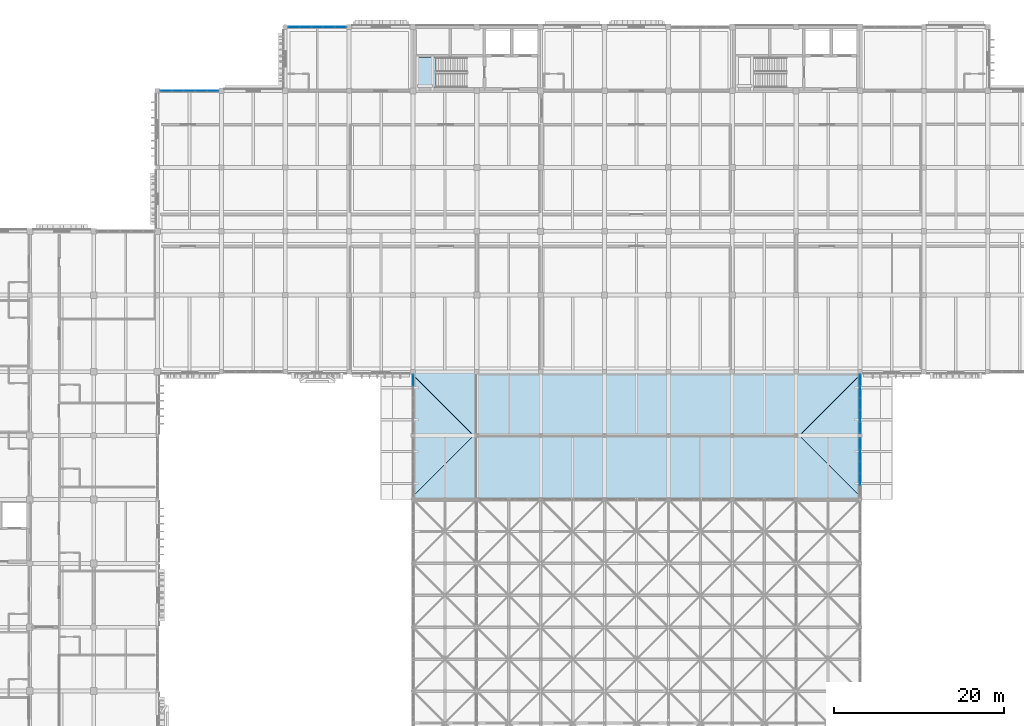
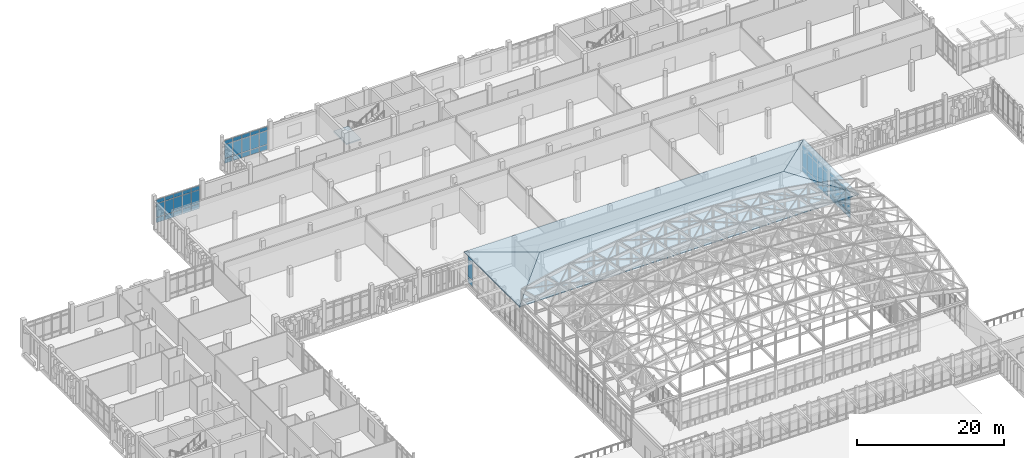
# One storey, part 88 of 131: 60 plates, 5 slabs, 7 elements without a shape of their own.
"""IFC4 building model written with IfcOpenShell, lengths in metres."""

from ifc_helpers import new_model, si_unit, direction, frame, origin, origin_2d, place, context, subcontext, project, spatial, polyline, rectangle, outline, extrude, material, layer, layer_set, type_object, element, aggregate, save


model = new_model("IFC4")

# Units and contexts
model_context = context("Model", 3, precision=1e-05, world=origin(), true_north=direction((0.0, 1.0)))
body_context = subcontext(model_context, "Body", "Model", "MODEL_VIEW")
ifc_project = project(units=[si_unit("LENGTHUNIT", "METRE"), si_unit("AREAUNIT", "SQUARE_METRE"), si_unit("VOLUMEUNIT", "CUBIC_METRE"), si_unit("PLANEANGLEUNIT", "RADIAN"), si_unit("MASSUNIT", "GRAM", prefix="KILO")], contexts=[model_context])

# Site, building, storey
site_placement = place(None, origin())
site = spatial("IfcSite", under=ifc_project, at=site_placement, CompositionType="ELEMENT")
building_placement = place(site_placement, origin())
building = spatial("IfcBuilding", under=site, at=building_placement, Name="Dalvernix Boulevard General Hospital", CompositionType="ELEMENT")
storey_placement = place(building_placement, frame((0.0, 0.0, 9.300048828125)))
storey = spatial("IfcBuildingStorey", under=building, at=storey_placement, Name="L02", CompositionType="ELEMENT", Elevation=9.300048828125)

# Curtain wall, plates
ifc_material_1 = material(Name="Thermally broken aluminium and solar-control glass curtain wall", Category="aluminium")
ifc_layer_1 = layer(ifc_material_1, 0.179931640625)
ifc_layer_set_1 = layer_set([ifc_layer_1], Name="Thermally broken aluminium and solar-control glass curtain wall (CW-CW-B-70x46)")
curtain_wall_type_1 = type_object("IfcCurtainWallType", Name="CW-CW-B-70x46", PredefinedType="USERDEFINED", material=ifc_layer_set_1)
curtain_wall_1_placement = place(storey_placement, origin())
curtain_wall_1 = element("IfcCurtainWall", 1, at=curtain_wall_1_placement, inside=storey, type_object=curtain_wall_type_1, Name="L02 curtain wall CW-B-70x46 8-9", ObjectType="GLAZED FACADE", PredefinedType="USERDEFINED")
ifc_material_2 = material(Name="Double-glazed solar-control low-emissivity glass", Category="glass")
ifc_layer_2 = layer(ifc_material_2, 0.028076171875)
ifc_layer_set_2 = layer_set([ifc_layer_2], Name="Double-glazed solar-control low-emissivity glass (PLT-CW-P2)")
plate_type_1 = type_object("IfcPlateType", Name="PLT-CW-P2", PredefinedType="CURTAIN_PANEL", material=ifc_layer_set_2)
plate_1_placement = place(storey_placement, frame((60.0, 75.500732421875, 0.06494140625), z_axis=(0.0, 0.0, 1.0), x_axis=(0.0, 1.0, 0.0)))
plate_1 = element("IfcPlate", 2, at=plate_1_placement, type_object=plate_type_1, Name="CW-B-70x46 panel 5.1", PredefinedType="CURTAIN_PANEL", context=body_context, shape_type="SweptSolid", body=[
    extrude(rectangle(XDim=1.298583984375, YDim=0.028076171875, at=origin_2d()), origin(), (0.0, 0.0, 1.0), 0.802490234375),
])
plate_2_placement = place(storey_placement, frame((60.0, 75.500732421875, 0.932373046875), z_axis=(0.0, 0.0, 1.0), x_axis=(0.0, 1.0, 0.0)))
plate_2 = element("IfcPlate", 3, at=plate_2_placement, type_object=plate_type_1, Name="CW-B-70x46 panel 5.2", PredefinedType="CURTAIN_PANEL", context=body_context, shape_type="SweptSolid", body=[
    extrude(rectangle(XDim=1.298583984375, YDim=0.028076171875, at=origin_2d()), origin(), (0.0, 0.0, 1.0), 2.8349609375),
])
plate_3_placement = place(storey_placement, frame((60.0, 75.500732421875, 3.83251953125), z_axis=(0.0, 0.0, 1.0), x_axis=(0.0, 1.0, 0.0)))
plate_3 = element("IfcPlate", 4, at=plate_3_placement, type_object=plate_type_1, Name="CW-B-70x46 panel 5.3", PredefinedType="CURTAIN_PANEL", context=body_context, shape_type="SweptSolid", body=[
    extrude(rectangle(XDim=1.298583984375, YDim=0.028076171875, at=origin_2d()), origin(), (0.0, 0.0, 1.0), 0.652587890625),
])
aggregate(curtain_wall_1, [plate_1, plate_2, plate_3])

curtain_wall_2_placement = place(storey_placement, origin())
curtain_wall_2 = element("IfcCurtainWall", 5, at=curtain_wall_2_placement, inside=storey, type_object=curtain_wall_type_1, Name="L02 curtain wall CW-B-70x46 15-8", ObjectType="GLAZED FACADE", PredefinedType="USERDEFINED")
plate_4_placement = place(storey_placement, frame((112.5, 68.045654296875, 0.06494140625), z_axis=(0.0, 0.0, 1.0), x_axis=(0.0, -1.0, 0.0)))
plate_4 = element("IfcPlate", 6, at=plate_4_placement, type_object=plate_type_1, Name="CW-B-70x46 panel 1.1", PredefinedType="CURTAIN_PANEL", context=body_context, shape_type="SweptSolid", body=[
    extrude(rectangle(XDim=1.30859375, YDim=0.028076171875, at=origin_2d()), origin(), (0.0, 0.0, 1.0), 0.802490234375),
])
plate_5_placement = place(storey_placement, frame((112.5, 68.045654296875, 0.932373046875), z_axis=(0.0, 0.0, 1.0), x_axis=(0.0, -1.0, 0.0)))
plate_5 = element("IfcPlate", 7, at=plate_5_placement, type_object=plate_type_1, Name="CW-B-70x46 panel 1.2", PredefinedType="CURTAIN_PANEL", context=body_context, shape_type="SweptSolid", body=[
    extrude(rectangle(XDim=1.30859375, YDim=0.028076171875, at=origin_2d()), origin(), (0.0, 0.0, 1.0), 2.8349609375),
])
plate_6_placement = place(storey_placement, frame((112.5, 68.045654296875, 3.83251953125), z_axis=(0.0, 0.0, 1.0), x_axis=(0.0, -1.0, 0.0)))
plate_6 = element("IfcPlate", 8, at=plate_6_placement, type_object=plate_type_1, Name="CW-B-70x46 panel 1.3", PredefinedType="CURTAIN_PANEL", context=body_context, shape_type="SweptSolid", body=[
    extrude(rectangle(XDim=1.30859375, YDim=0.028076171875, at=origin_2d()), origin(), (0.0, 0.0, 1.0), 0.652587890625),
])
plate_7_placement = place(storey_placement, frame((112.5, 66.656005859375, 0.06494140625), z_axis=(0.0, 0.0, 1.0), x_axis=(0.0, -1.0, 0.0)))
plate_7 = element("IfcPlate", 9, at=plate_7_placement, type_object=plate_type_1, Name="CW-B-70x46 panel 2.1", PredefinedType="CURTAIN_PANEL", context=body_context, shape_type="SweptSolid", body=[
    extrude(rectangle(XDim=1.341064453125, YDim=0.028076171875, at=origin_2d()), origin(), (0.0, 0.0, 1.0), 0.802490234375),
])
plate_8_placement = place(storey_placement, frame((112.5, 66.656005859375, 0.932373046875), z_axis=(0.0, 0.0, 1.0), x_axis=(0.0, -1.0, 0.0)))
plate_8 = element("IfcPlate", 10, at=plate_8_placement, type_object=plate_type_1, Name="CW-B-70x46 panel 2.2", PredefinedType="CURTAIN_PANEL", context=body_context, shape_type="SweptSolid", body=[
    extrude(rectangle(XDim=1.341064453125, YDim=0.028076171875, at=origin_2d()), origin(), (0.0, 0.0, 1.0), 2.8349609375),
])
plate_9_placement = place(storey_placement, frame((112.5, 66.656005859375, 3.83251953125), z_axis=(0.0, 0.0, 1.0), x_axis=(0.0, -1.0, 0.0)))
plate_9 = element("IfcPlate", 11, at=plate_9_placement, type_object=plate_type_1, Name="CW-B-70x46 panel 2.3", PredefinedType="CURTAIN_PANEL", context=body_context, shape_type="SweptSolid", body=[
    extrude(rectangle(XDim=1.341064453125, YDim=0.028076171875, at=origin_2d()), origin(), (0.0, 0.0, 1.0), 0.652587890625),
])
plate_10_placement = place(storey_placement, frame((112.5, 65.25, 0.06494140625), z_axis=(0.0, 0.0, 1.0), x_axis=(0.0, -1.0, 0.0)))
plate_10 = element("IfcPlate", 12, at=plate_10_placement, type_object=plate_type_1, Name="CW-B-70x46 panel 3.1", PredefinedType="CURTAIN_PANEL", context=body_context, shape_type="SweptSolid", body=[
    extrude(rectangle(XDim=1.341064453125, YDim=0.028076171875, at=origin_2d()), origin(), (0.0, 0.0, 1.0), 0.802490234375),
])
plate_11_placement = place(storey_placement, frame((112.5, 65.25, 0.932373046875), z_axis=(0.0, 0.0, 1.0), x_axis=(0.0, -1.0, 0.0)))
plate_11 = element("IfcPlate", 13, at=plate_11_placement, type_object=plate_type_1, Name="CW-B-70x46 panel 3.2", PredefinedType="CURTAIN_PANEL", context=body_context, shape_type="SweptSolid", body=[
    extrude(rectangle(XDim=1.341064453125, YDim=0.028076171875, at=origin_2d()), origin(), (0.0, 0.0, 1.0), 2.8349609375),
])
plate_12_placement = place(storey_placement, frame((112.5, 65.25, 3.83251953125), z_axis=(0.0, 0.0, 1.0), x_axis=(0.0, -1.0, 0.0)))
plate_12 = element("IfcPlate", 14, at=plate_12_placement, type_object=plate_type_1, Name="CW-B-70x46 panel 3.3", PredefinedType="CURTAIN_PANEL", context=body_context, shape_type="SweptSolid", body=[
    extrude(rectangle(XDim=1.341064453125, YDim=0.028076171875, at=origin_2d()), origin(), (0.0, 0.0, 1.0), 0.652587890625),
])
plate_13_placement = place(storey_placement, frame((112.5, 63.843994140625, 0.06494140625), z_axis=(0.0, 0.0, 1.0), x_axis=(0.0, -1.0, 0.0)))
plate_13 = element("IfcPlate", 15, at=plate_13_placement, type_object=plate_type_1, Name="CW-B-70x46 panel 4.1", PredefinedType="CURTAIN_PANEL", context=body_context, shape_type="SweptSolid", body=[
    extrude(rectangle(XDim=1.341064453125, YDim=0.028076171875, at=origin_2d()), origin(), (0.0, 0.0, 1.0), 0.802490234375),
])
plate_14_placement = place(storey_placement, frame((112.5, 63.843994140625, 0.932373046875), z_axis=(0.0, 0.0, 1.0), x_axis=(0.0, -1.0, 0.0)))
plate_14 = element("IfcPlate", 16, at=plate_14_placement, type_object=plate_type_1, Name="CW-B-70x46 panel 4.2", PredefinedType="CURTAIN_PANEL", context=body_context, shape_type="SweptSolid", body=[
    extrude(rectangle(XDim=1.341064453125, YDim=0.028076171875, at=origin_2d()), origin(), (0.0, 0.0, 1.0), 2.8349609375),
])
plate_15_placement = place(storey_placement, frame((112.5, 63.843994140625, 3.83251953125), z_axis=(0.0, 0.0, 1.0), x_axis=(0.0, -1.0, 0.0)))
plate_15 = element("IfcPlate", 17, at=plate_15_placement, type_object=plate_type_1, Name="CW-B-70x46 panel 4.3", PredefinedType="CURTAIN_PANEL", context=body_context, shape_type="SweptSolid", body=[
    extrude(rectangle(XDim=1.341064453125, YDim=0.028076171875, at=origin_2d()), origin(), (0.0, 0.0, 1.0), 0.652587890625),
])
aggregate(curtain_wall_2, [plate_4, plate_5, plate_6, plate_7, plate_8, plate_9, plate_10, plate_11, plate_12, plate_13, plate_14, plate_15])

ifc_layer_3 = layer(ifc_material_1, 0.199951171875)
ifc_layer_set_3 = layer_set([ifc_layer_3], Name="Thermally broken aluminium and solar-control glass curtain wall (CW-CW-C-69x40)")
curtain_wall_type_2 = type_object("IfcCurtainWallType", Name="CW-CW-C-69x40", PredefinedType="USERDEFINED", material=ifc_layer_set_3)
curtain_wall_3_placement = place(storey_placement, origin())
curtain_wall_3 = element("IfcCurtainWall", 18, at=curtain_wall_3_placement, inside=storey, type_object=curtain_wall_type_2, Name="L02 curtain wall CW-C-69x40 4-14", ObjectType="GLAZED FACADE", PredefinedType="USERDEFINED")
ifc_layer_4 = layer(ifc_material_2, 0.035888671875)
ifc_layer_set_4 = layer_set([ifc_layer_4], Name="Double-glazed solar-control low-emissivity glass (PLT-CW-P3)")
plate_type_2 = type_object("IfcPlateType", Name="PLT-CW-P3", PredefinedType="CURTAIN_PANEL", material=ifc_layer_set_4)
plate_16_placement = place(storey_placement, frame((30.992919921875, 109.5, 0.070068359375), z_axis=(0.0, 0.0, 1.0), x_axis=(1.0, 0.0, 0.0)))
plate_16 = element("IfcPlate", 19, at=plate_16_placement, type_object=plate_type_2, Name="CW-C-69x40 panel 1.1", PredefinedType="CURTAIN_PANEL", context=body_context, shape_type="SweptSolid", body=[
    extrude(rectangle(XDim=1.27587890625, YDim=0.035888671875, at=origin_2d()), origin(), (0.0, 0.0, 1.0), 0.794921875),
])
plate_17_placement = place(storey_placement, frame((30.992919921875, 109.5, 0.93505859375), z_axis=(0.0, 0.0, 1.0), x_axis=(1.0, 0.0, 0.0)))
plate_17 = element("IfcPlate", 20, at=plate_17_placement, type_object=plate_type_2, Name="CW-C-69x40 panel 1.2", PredefinedType="CURTAIN_PANEL", context=body_context, shape_type="SweptSolid", body=[
    extrude(rectangle(XDim=1.27587890625, YDim=0.035888671875, at=origin_2d()), origin(), (0.0, 0.0, 1.0), 2.22998046875),
])
plate_18_placement = place(storey_placement, frame((30.992919921875, 109.5, 3.23486328125), z_axis=(0.0, 0.0, 1.0), x_axis=(1.0, 0.0, 0.0)))
plate_18 = element("IfcPlate", 21, at=plate_18_placement, type_object=plate_type_2, Name="CW-C-69x40 panel 1.3", PredefinedType="CURTAIN_PANEL", context=body_context, shape_type="SweptSolid", body=[
    extrude(rectangle(XDim=1.27587890625, YDim=0.035888671875, at=origin_2d()), origin(), (0.0, 0.0, 1.0), 0.64501953125),
])
plate_19_placement = place(storey_placement, frame((32.3564453125, 109.5, 0.070068359375), z_axis=(0.0, 0.0, 1.0), x_axis=(1.0, 0.0, 0.0)))
plate_19 = element("IfcPlate", 22, at=plate_19_placement, type_object=plate_type_2, Name="CW-C-69x40 panel 2.1", PredefinedType="CURTAIN_PANEL", context=body_context, shape_type="SweptSolid", body=[
    extrude(rectangle(XDim=1.31103515625, YDim=0.035888671875, at=origin_2d()), origin(), (0.0, 0.0, 1.0), 0.794921875),
])
plate_20_placement = place(storey_placement, frame((32.3564453125, 109.5, 0.93505859375), z_axis=(0.0, 0.0, 1.0), x_axis=(1.0, 0.0, 0.0)))
plate_20 = element("IfcPlate", 23, at=plate_20_placement, type_object=plate_type_2, Name="CW-C-69x40 panel 2.2", PredefinedType="CURTAIN_PANEL", context=body_context, shape_type="SweptSolid", body=[
    extrude(rectangle(XDim=1.31103515625, YDim=0.035888671875, at=origin_2d()), origin(), (0.0, 0.0, 1.0), 2.22998046875),
])
plate_21_placement = place(storey_placement, frame((32.3564453125, 109.5, 3.23486328125), z_axis=(0.0, 0.0, 1.0), x_axis=(1.0, 0.0, 0.0)))
plate_21 = element("IfcPlate", 24, at=plate_21_placement, type_object=plate_type_2, Name="CW-C-69x40 panel 2.3", PredefinedType="CURTAIN_PANEL", context=body_context, shape_type="SweptSolid", body=[
    extrude(rectangle(XDim=1.31103515625, YDim=0.035888671875, at=origin_2d()), origin(), (0.0, 0.0, 1.0), 0.64501953125),
])
plate_22_placement = place(storey_placement, frame((33.737548828125, 109.5, 0.070068359375), z_axis=(0.0, 0.0, 1.0), x_axis=(1.0, 0.0, 0.0)))
plate_22 = element("IfcPlate", 25, at=plate_22_placement, type_object=plate_type_2, Name="CW-C-69x40 panel 3.1", PredefinedType="CURTAIN_PANEL", context=body_context, shape_type="SweptSolid", body=[
    extrude(rectangle(XDim=1.31103515625, YDim=0.035888671875, at=origin_2d()), origin(), (0.0, 0.0, 1.0), 0.794921875),
])
plate_23_placement = place(storey_placement, frame((33.737548828125, 109.5, 0.93505859375), z_axis=(0.0, 0.0, 1.0), x_axis=(1.0, 0.0, 0.0)))
plate_23 = element("IfcPlate", 26, at=plate_23_placement, type_object=plate_type_2, Name="CW-C-69x40 panel 3.2", PredefinedType="CURTAIN_PANEL", context=body_context, shape_type="SweptSolid", body=[
    extrude(rectangle(XDim=1.31103515625, YDim=0.035888671875, at=origin_2d()), origin(), (0.0, 0.0, 1.0), 2.22998046875),
])
plate_24_placement = place(storey_placement, frame((33.737548828125, 109.5, 3.23486328125), z_axis=(0.0, 0.0, 1.0), x_axis=(1.0, 0.0, 0.0)))
plate_24 = element("IfcPlate", 27, at=plate_24_placement, type_object=plate_type_2, Name="CW-C-69x40 panel 3.3", PredefinedType="CURTAIN_PANEL", context=body_context, shape_type="SweptSolid", body=[
    extrude(rectangle(XDim=1.31103515625, YDim=0.035888671875, at=origin_2d()), origin(), (0.0, 0.0, 1.0), 0.64501953125),
])
plate_25_placement = place(storey_placement, frame((35.118408203125, 109.5, 0.070068359375), z_axis=(0.0, 0.0, 1.0), x_axis=(1.0, 0.0, 0.0)))
plate_25 = element("IfcPlate", 28, at=plate_25_placement, type_object=plate_type_2, Name="CW-C-69x40 panel 4.1", PredefinedType="CURTAIN_PANEL", context=body_context, shape_type="SweptSolid", body=[
    extrude(rectangle(XDim=1.31103515625, YDim=0.035888671875, at=origin_2d()), origin(), (0.0, 0.0, 1.0), 0.794921875),
])
plate_26_placement = place(storey_placement, frame((35.118408203125, 109.5, 0.93505859375), z_axis=(0.0, 0.0, 1.0), x_axis=(1.0, 0.0, 0.0)))
plate_26 = element("IfcPlate", 29, at=plate_26_placement, type_object=plate_type_2, Name="CW-C-69x40 panel 4.2", PredefinedType="CURTAIN_PANEL", context=body_context, shape_type="SweptSolid", body=[
    extrude(rectangle(XDim=1.31103515625, YDim=0.035888671875, at=origin_2d()), origin(), (0.0, 0.0, 1.0), 2.22998046875),
])
plate_27_placement = place(storey_placement, frame((35.118408203125, 109.5, 3.23486328125), z_axis=(0.0, 0.0, 1.0), x_axis=(1.0, 0.0, 0.0)))
plate_27 = element("IfcPlate", 30, at=plate_27_placement, type_object=plate_type_2, Name="CW-C-69x40 panel 4.3", PredefinedType="CURTAIN_PANEL", context=body_context, shape_type="SweptSolid", body=[
    extrude(rectangle(XDim=1.31103515625, YDim=0.035888671875, at=origin_2d()), origin(), (0.0, 0.0, 1.0), 0.64501953125),
])
plate_28_placement = place(storey_placement, frame((36.48193359375, 109.5, 0.070068359375), z_axis=(0.0, 0.0, 1.0), x_axis=(1.0, 0.0, 0.0)))
plate_28 = element("IfcPlate", 31, at=plate_28_placement, type_object=plate_type_2, Name="CW-C-69x40 panel 5.1", PredefinedType="CURTAIN_PANEL", context=body_context, shape_type="SweptSolid", body=[
    extrude(rectangle(XDim=1.27587890625, YDim=0.035888671875, at=origin_2d()), origin(), (0.0, 0.0, 1.0), 0.794921875),
])
plate_29_placement = place(storey_placement, frame((36.48193359375, 109.5, 0.93505859375), z_axis=(0.0, 0.0, 1.0), x_axis=(1.0, 0.0, 0.0)))
plate_29 = element("IfcPlate", 32, at=plate_29_placement, type_object=plate_type_2, Name="CW-C-69x40 panel 5.2", PredefinedType="CURTAIN_PANEL", context=body_context, shape_type="SweptSolid", body=[
    extrude(rectangle(XDim=1.27587890625, YDim=0.035888671875, at=origin_2d()), origin(), (0.0, 0.0, 1.0), 2.22998046875),
])
plate_30_placement = place(storey_placement, frame((36.48193359375, 109.5, 3.23486328125), z_axis=(0.0, 0.0, 1.0), x_axis=(1.0, 0.0, 0.0)))
plate_30 = element("IfcPlate", 33, at=plate_30_placement, type_object=plate_type_2, Name="CW-C-69x40 panel 5.3", PredefinedType="CURTAIN_PANEL", context=body_context, shape_type="SweptSolid", body=[
    extrude(rectangle(XDim=1.27587890625, YDim=0.035888671875, at=origin_2d()), origin(), (0.0, 0.0, 1.0), 0.64501953125),
])
aggregate(curtain_wall_3, [plate_16, plate_17, plate_18, plate_19, plate_20, plate_21, plate_22, plate_23, plate_24, plate_25, plate_26, plate_27, plate_28, plate_29, plate_30])

curtain_wall_4_placement = place(storey_placement, origin())
curtain_wall_4 = element("IfcCurtainWall", 34, at=curtain_wall_4_placement, inside=storey, type_object=curtain_wall_type_2, Name="L02 curtain wall CW-C-69x40 6-15", ObjectType="GLAZED FACADE", PredefinedType="USERDEFINED")
plate_31_placement = place(storey_placement, frame((46.015380859375, 117.0, 0.070068359375), z_axis=(0.0, 0.0, 1.0), x_axis=(1.0, 0.0, 0.0)))
plate_31 = element("IfcPlate", 35, at=plate_31_placement, type_object=plate_type_2, Name="CW-C-69x40 panel 1.1", PredefinedType="CURTAIN_PANEL", context=body_context, shape_type="SweptSolid", body=[
    extrude(rectangle(XDim=1.27099609375, YDim=0.035888671875, at=origin_2d()), origin(), (0.0, 0.0, 1.0), 0.794921875),
])
plate_32_placement = place(storey_placement, frame((46.015380859375, 117.0, 0.93505859375), z_axis=(0.0, 0.0, 1.0), x_axis=(1.0, 0.0, 0.0)))
plate_32 = element("IfcPlate", 36, at=plate_32_placement, type_object=plate_type_2, Name="CW-C-69x40 panel 1.2", PredefinedType="CURTAIN_PANEL", context=body_context, shape_type="SweptSolid", body=[
    extrude(rectangle(XDim=1.27099609375, YDim=0.035888671875, at=origin_2d()), origin(), (0.0, 0.0, 1.0), 2.22998046875),
])
plate_33_placement = place(storey_placement, frame((46.015380859375, 117.0, 3.23486328125), z_axis=(0.0, 0.0, 1.0), x_axis=(1.0, 0.0, 0.0)))
plate_33 = element("IfcPlate", 37, at=plate_33_placement, type_object=plate_type_2, Name="CW-C-69x40 panel 1.3", PredefinedType="CURTAIN_PANEL", context=body_context, shape_type="SweptSolid", body=[
    extrude(rectangle(XDim=1.27099609375, YDim=0.035888671875, at=origin_2d()), origin(), (0.0, 0.0, 1.0), 0.64501953125),
])
plate_34_placement = place(storey_placement, frame((47.3740234375, 117.0, 0.070068359375), z_axis=(0.0, 0.0, 1.0), x_axis=(1.0, 0.0, 0.0)))
plate_34 = element("IfcPlate", 38, at=plate_34_placement, type_object=plate_type_2, Name="CW-C-69x40 panel 2.1", PredefinedType="CURTAIN_PANEL", context=body_context, shape_type="SweptSolid", body=[
    extrude(rectangle(XDim=1.305908203125, YDim=0.035888671875, at=origin_2d()), origin(), (0.0, 0.0, 1.0), 0.794921875),
])
plate_35_placement = place(storey_placement, frame((47.3740234375, 117.0, 0.93505859375), z_axis=(0.0, 0.0, 1.0), x_axis=(1.0, 0.0, 0.0)))
plate_35 = element("IfcPlate", 39, at=plate_35_placement, type_object=plate_type_2, Name="CW-C-69x40 panel 2.2", PredefinedType="CURTAIN_PANEL", context=body_context, shape_type="SweptSolid", body=[
    extrude(rectangle(XDim=1.305908203125, YDim=0.035888671875, at=origin_2d()), origin(), (0.0, 0.0, 1.0), 2.22998046875),
])
plate_36_placement = place(storey_placement, frame((47.3740234375, 117.0, 3.23486328125), z_axis=(0.0, 0.0, 1.0), x_axis=(1.0, 0.0, 0.0)))
plate_36 = element("IfcPlate", 40, at=plate_36_placement, type_object=plate_type_2, Name="CW-C-69x40 panel 2.3", PredefinedType="CURTAIN_PANEL", context=body_context, shape_type="SweptSolid", body=[
    extrude(rectangle(XDim=1.305908203125, YDim=0.035888671875, at=origin_2d()), origin(), (0.0, 0.0, 1.0), 0.64501953125),
])
plate_37_placement = place(storey_placement, frame((48.75, 117.0, 0.070068359375), z_axis=(0.0, 0.0, 1.0), x_axis=(1.0, 0.0, 0.0)))
plate_37 = element("IfcPlate", 41, at=plate_37_placement, type_object=plate_type_2, Name="CW-C-69x40 panel 3.1", PredefinedType="CURTAIN_PANEL", context=body_context, shape_type="SweptSolid", body=[
    extrude(rectangle(XDim=1.305908203125, YDim=0.035888671875, at=origin_2d()), origin(), (0.0, 0.0, 1.0), 0.794921875),
])
plate_38_placement = place(storey_placement, frame((48.75, 117.0, 0.93505859375), z_axis=(0.0, 0.0, 1.0), x_axis=(1.0, 0.0, 0.0)))
plate_38 = element("IfcPlate", 42, at=plate_38_placement, type_object=plate_type_2, Name="CW-C-69x40 panel 3.2", PredefinedType="CURTAIN_PANEL", context=body_context, shape_type="SweptSolid", body=[
    extrude(rectangle(XDim=1.305908203125, YDim=0.035888671875, at=origin_2d()), origin(), (0.0, 0.0, 1.0), 2.22998046875),
])
plate_39_placement = place(storey_placement, frame((48.75, 117.0, 3.23486328125), z_axis=(0.0, 0.0, 1.0), x_axis=(1.0, 0.0, 0.0)))
plate_39 = element("IfcPlate", 43, at=plate_39_placement, type_object=plate_type_2, Name="CW-C-69x40 panel 3.3", PredefinedType="CURTAIN_PANEL", context=body_context, shape_type="SweptSolid", body=[
    extrude(rectangle(XDim=1.305908203125, YDim=0.035888671875, at=origin_2d()), origin(), (0.0, 0.0, 1.0), 0.64501953125),
])
plate_40_placement = place(storey_placement, frame((50.1259765625, 117.0, 0.070068359375), z_axis=(0.0, 0.0, 1.0), x_axis=(1.0, 0.0, 0.0)))
plate_40 = element("IfcPlate", 44, at=plate_40_placement, type_object=plate_type_2, Name="CW-C-69x40 panel 4.1", PredefinedType="CURTAIN_PANEL", context=body_context, shape_type="SweptSolid", body=[
    extrude(rectangle(XDim=1.305908203125, YDim=0.035888671875, at=origin_2d()), origin(), (0.0, 0.0, 1.0), 0.794921875),
])
plate_41_placement = place(storey_placement, frame((50.1259765625, 117.0, 0.93505859375), z_axis=(0.0, 0.0, 1.0), x_axis=(1.0, 0.0, 0.0)))
plate_41 = element("IfcPlate", 45, at=plate_41_placement, type_object=plate_type_2, Name="CW-C-69x40 panel 4.2", PredefinedType="CURTAIN_PANEL", context=body_context, shape_type="SweptSolid", body=[
    extrude(rectangle(XDim=1.305908203125, YDim=0.035888671875, at=origin_2d()), origin(), (0.0, 0.0, 1.0), 2.22998046875),
])
plate_42_placement = place(storey_placement, frame((50.1259765625, 117.0, 3.23486328125), z_axis=(0.0, 0.0, 1.0), x_axis=(1.0, 0.0, 0.0)))
plate_42 = element("IfcPlate", 46, at=plate_42_placement, type_object=plate_type_2, Name="CW-C-69x40 panel 4.3", PredefinedType="CURTAIN_PANEL", context=body_context, shape_type="SweptSolid", body=[
    extrude(rectangle(XDim=1.305908203125, YDim=0.035888671875, at=origin_2d()), origin(), (0.0, 0.0, 1.0), 0.64501953125),
])
plate_43_placement = place(storey_placement, frame((51.484619140625, 117.0, 0.070068359375), z_axis=(0.0, 0.0, 1.0), x_axis=(1.0, 0.0, 0.0)))
plate_43 = element("IfcPlate", 47, at=plate_43_placement, type_object=plate_type_2, Name="CW-C-69x40 panel 5.1", PredefinedType="CURTAIN_PANEL", context=body_context, shape_type="SweptSolid", body=[
    extrude(rectangle(XDim=1.27099609375, YDim=0.035888671875, at=origin_2d()), origin(), (0.0, 0.0, 1.0), 0.794921875),
])
plate_44_placement = place(storey_placement, frame((51.484619140625, 117.0, 0.93505859375), z_axis=(0.0, 0.0, 1.0), x_axis=(1.0, 0.0, 0.0)))
plate_44 = element("IfcPlate", 48, at=plate_44_placement, type_object=plate_type_2, Name="CW-C-69x40 panel 5.2", PredefinedType="CURTAIN_PANEL", context=body_context, shape_type="SweptSolid", body=[
    extrude(rectangle(XDim=1.27099609375, YDim=0.035888671875, at=origin_2d()), origin(), (0.0, 0.0, 1.0), 2.22998046875),
])
plate_45_placement = place(storey_placement, frame((51.484619140625, 117.0, 3.23486328125), z_axis=(0.0, 0.0, 1.0), x_axis=(1.0, 0.0, 0.0)))
plate_45 = element("IfcPlate", 49, at=plate_45_placement, type_object=plate_type_2, Name="CW-C-69x40 panel 5.3", PredefinedType="CURTAIN_PANEL", context=body_context, shape_type="SweptSolid", body=[
    extrude(rectangle(XDim=1.27099609375, YDim=0.035888671875, at=origin_2d()), origin(), (0.0, 0.0, 1.0), 0.64501953125),
])
aggregate(curtain_wall_4, [plate_31, plate_32, plate_33, plate_34, plate_35, plate_36, plate_37, plate_38, plate_39, plate_40, plate_41, plate_42, plate_43, plate_44, plate_45])

ifc_layer_5 = layer(ifc_material_1, 0.199951171875)
ifc_layer_set_5 = layer_set([ifc_layer_5], Name="Thermally broken aluminium and solar-control glass curtain wall (CW-CW-C-70x46)")
curtain_wall_type_3 = type_object("IfcCurtainWallType", Name="CW-CW-C-70x46", PredefinedType="USERDEFINED", material=ifc_layer_set_5)
curtain_wall_5_placement = place(storey_placement, origin())
curtain_wall_5 = element("IfcCurtainWall", 50, at=curtain_wall_5_placement, inside=storey, type_object=curtain_wall_type_3, Name="L02 curtain wall CW-C-70x46 15-9", ObjectType="GLAZED FACADE", PredefinedType="USERDEFINED")
plate_46_placement = place(storey_placement, frame((112.5, 75.52197265625, 0.070068359375), z_axis=(0.0, 0.0, 1.0), x_axis=(0.0, -1.0, 0.0)))
plate_46 = element("IfcPlate", 51, at=plate_46_placement, type_object=plate_type_2, Name="CW-C-70x46 panel 1.1", PredefinedType="CURTAIN_PANEL", context=body_context, shape_type="SweptSolid", body=[
    extrude(rectangle(XDim=1.2958984375, YDim=0.035888671875, at=origin_2d()), origin(), (0.0, 0.0, 1.0), 0.794921875),
])
plate_47_placement = place(storey_placement, frame((112.5, 75.52197265625, 0.934814453125), z_axis=(0.0, 0.0, 1.0), x_axis=(0.0, -1.0, 0.0)))
plate_47 = element("IfcPlate", 52, at=plate_47_placement, type_object=plate_type_2, Name="CW-C-70x46 panel 1.2", PredefinedType="CURTAIN_PANEL", context=body_context, shape_type="SweptSolid", body=[
    extrude(rectangle(XDim=1.2958984375, YDim=0.035888671875, at=origin_2d()), origin(), (0.0, 0.0, 1.0), 2.830078125),
])
plate_48_placement = place(storey_placement, frame((112.5, 75.52197265625, 3.8349609375), z_axis=(0.0, 0.0, 1.0), x_axis=(0.0, -1.0, 0.0)))
plate_48 = element("IfcPlate", 53, at=plate_48_placement, type_object=plate_type_2, Name="CW-C-70x46 panel 1.3", PredefinedType="CURTAIN_PANEL", context=body_context, shape_type="SweptSolid", body=[
    extrude(rectangle(XDim=1.2958984375, YDim=0.035888671875, at=origin_2d()), origin(), (0.0, 0.0, 1.0), 0.64501953125),
])
plate_49_placement = place(storey_placement, frame((112.5, 74.138427734375, 0.070068359375), z_axis=(0.0, 0.0, 1.0), x_axis=(0.0, -1.0, 0.0)))
plate_49 = element("IfcPlate", 54, at=plate_49_placement, type_object=plate_type_2, Name="CW-C-70x46 panel 2.1", PredefinedType="CURTAIN_PANEL", context=body_context, shape_type="SweptSolid", body=[
    extrude(rectangle(XDim=1.3310546875, YDim=0.035888671875, at=origin_2d()), origin(), (0.0, 0.0, 1.0), 0.794921875),
])
plate_50_placement = place(storey_placement, frame((112.5, 74.138427734375, 0.934814453125), z_axis=(0.0, 0.0, 1.0), x_axis=(0.0, -1.0, 0.0)))
plate_50 = element("IfcPlate", 55, at=plate_50_placement, type_object=plate_type_2, Name="CW-C-70x46 panel 2.2", PredefinedType="CURTAIN_PANEL", context=body_context, shape_type="SweptSolid", body=[
    extrude(rectangle(XDim=1.3310546875, YDim=0.035888671875, at=origin_2d()), origin(), (0.0, 0.0, 1.0), 2.830078125),
])
plate_51_placement = place(storey_placement, frame((112.5, 74.138427734375, 3.8349609375), z_axis=(0.0, 0.0, 1.0), x_axis=(0.0, -1.0, 0.0)))
plate_51 = element("IfcPlate", 56, at=plate_51_placement, type_object=plate_type_2, Name="CW-C-70x46 panel 2.3", PredefinedType="CURTAIN_PANEL", context=body_context, shape_type="SweptSolid", body=[
    extrude(rectangle(XDim=1.3310546875, YDim=0.035888671875, at=origin_2d()), origin(), (0.0, 0.0, 1.0), 0.64501953125),
])
plate_52_placement = place(storey_placement, frame((112.5, 72.737548828125, 0.070068359375), z_axis=(0.0, 0.0, 1.0), x_axis=(0.0, -1.0, 0.0)))
plate_52 = element("IfcPlate", 57, at=plate_52_placement, type_object=plate_type_2, Name="CW-C-70x46 panel 3.1", PredefinedType="CURTAIN_PANEL", context=body_context, shape_type="SweptSolid", body=[
    extrude(rectangle(XDim=1.3310546875, YDim=0.035888671875, at=origin_2d()), origin(), (0.0, 0.0, 1.0), 0.794921875),
])
plate_53_placement = place(storey_placement, frame((112.5, 72.737548828125, 0.934814453125), z_axis=(0.0, 0.0, 1.0), x_axis=(0.0, -1.0, 0.0)))
plate_53 = element("IfcPlate", 58, at=plate_53_placement, type_object=plate_type_2, Name="CW-C-70x46 panel 3.2", PredefinedType="CURTAIN_PANEL", context=body_context, shape_type="SweptSolid", body=[
    extrude(rectangle(XDim=1.3310546875, YDim=0.035888671875, at=origin_2d()), origin(), (0.0, 0.0, 1.0), 2.830078125),
])
plate_54_placement = place(storey_placement, frame((112.5, 72.737548828125, 3.8349609375), z_axis=(0.0, 0.0, 1.0), x_axis=(0.0, -1.0, 0.0)))
plate_54 = element("IfcPlate", 59, at=plate_54_placement, type_object=plate_type_2, Name="CW-C-70x46 panel 3.3", PredefinedType="CURTAIN_PANEL", context=body_context, shape_type="SweptSolid", body=[
    extrude(rectangle(XDim=1.3310546875, YDim=0.035888671875, at=origin_2d()), origin(), (0.0, 0.0, 1.0), 0.64501953125),
])
plate_55_placement = place(storey_placement, frame((112.5, 71.33642578125, 0.070068359375), z_axis=(0.0, 0.0, 1.0), x_axis=(0.0, -1.0, 0.0)))
plate_55 = element("IfcPlate", 60, at=plate_55_placement, type_object=plate_type_2, Name="CW-C-70x46 panel 4.1", PredefinedType="CURTAIN_PANEL", context=body_context, shape_type="SweptSolid", body=[
    extrude(rectangle(XDim=1.3310546875, YDim=0.035888671875, at=origin_2d()), origin(), (0.0, 0.0, 1.0), 0.794921875),
])
plate_56_placement = place(storey_placement, frame((112.5, 71.33642578125, 0.934814453125), z_axis=(0.0, 0.0, 1.0), x_axis=(0.0, -1.0, 0.0)))
plate_56 = element("IfcPlate", 61, at=plate_56_placement, type_object=plate_type_2, Name="CW-C-70x46 panel 4.2", PredefinedType="CURTAIN_PANEL", context=body_context, shape_type="SweptSolid", body=[
    extrude(rectangle(XDim=1.3310546875, YDim=0.035888671875, at=origin_2d()), origin(), (0.0, 0.0, 1.0), 2.830078125),
])
plate_57_placement = place(storey_placement, frame((112.5, 71.33642578125, 3.8349609375), z_axis=(0.0, 0.0, 1.0), x_axis=(0.0, -1.0, 0.0)))
plate_57 = element("IfcPlate", 62, at=plate_57_placement, type_object=plate_type_2, Name="CW-C-70x46 panel 4.3", PredefinedType="CURTAIN_PANEL", context=body_context, shape_type="SweptSolid", body=[
    extrude(rectangle(XDim=1.3310546875, YDim=0.035888671875, at=origin_2d()), origin(), (0.0, 0.0, 1.0), 0.64501953125),
])
plate_58_placement = place(storey_placement, frame((112.5, 69.952880859375, 0.070068359375), z_axis=(0.0, 0.0, 1.0), x_axis=(0.0, -1.0, 0.0)))
plate_58 = element("IfcPlate", 63, at=plate_58_placement, type_object=plate_type_2, Name="CW-C-70x46 panel 5.1", PredefinedType="CURTAIN_PANEL", context=body_context, shape_type="SweptSolid", body=[
    extrude(rectangle(XDim=1.2958984375, YDim=0.035888671875, at=origin_2d()), origin(), (0.0, 0.0, 1.0), 0.794921875),
])
plate_59_placement = place(storey_placement, frame((112.5, 69.952880859375, 0.934814453125), z_axis=(0.0, 0.0, 1.0), x_axis=(0.0, -1.0, 0.0)))
plate_59 = element("IfcPlate", 64, at=plate_59_placement, type_object=plate_type_2, Name="CW-C-70x46 panel 5.2", PredefinedType="CURTAIN_PANEL", context=body_context, shape_type="SweptSolid", body=[
    extrude(rectangle(XDim=1.2958984375, YDim=0.035888671875, at=origin_2d()), origin(), (0.0, 0.0, 1.0), 2.830078125),
])
plate_60_placement = place(storey_placement, frame((112.5, 69.952880859375, 3.8349609375), z_axis=(0.0, 0.0, 1.0), x_axis=(0.0, -1.0, 0.0)))
plate_60 = element("IfcPlate", 65, at=plate_60_placement, type_object=plate_type_2, Name="CW-C-70x46 panel 5.3", PredefinedType="CURTAIN_PANEL", context=body_context, shape_type="SweptSolid", body=[
    extrude(rectangle(XDim=1.2958984375, YDim=0.035888671875, at=origin_2d()), origin(), (0.0, 0.0, 1.0), 0.64501953125),
])
aggregate(curtain_wall_5, [plate_46, plate_47, plate_48, plate_49, plate_50, plate_51, plate_52, plate_53, plate_54, plate_55, plate_56, plate_57, plate_58, plate_59, plate_60])

# Stair, slab
ifc_material_3 = material(Name="Precast concrete C40/50", Category="concrete")
stair_type = type_object("IfcStairType", Name="IFCSTAIR-STC-165x480", PredefinedType="HALF_TURN_STAIR", material=ifc_material_3)
stair_placement = place(storey_placement, origin())
stair = element("IfcStair", 66, at=stair_placement, inside=storey, type_object=stair_type, Name="L02 Core C3 Exit Stair ST-03", PredefinedType="HALF_TURN_STAIR")
ifc_layer_6 = layer(ifc_material_3, 0.199951171875)
ifc_layer_set_6 = layer_set([ifc_layer_6], Name="Precast concrete C40/50 (SLB-LND-01)")
slab_type_1 = type_object("IfcSlabType", Name="SLB-LND-01", PredefinedType="LANDING", material=ifc_layer_set_6)
slab_1_placement = place(storey_placement, frame((0.0, 0.0, 2.199951171875)))
slab_1 = element("IfcSlab", 67, at=slab_1_placement, type_object=slab_type_1, Name="ST-03 landing 1", PredefinedType="LANDING", context=body_context, shape_type="SweptSolid", body=[
    extrude(outline(polyline([(62.7099609375, 113.39990234375), (60.39990234375, 113.39990234375), (60.39990234375, 109.89990234375), (62.7099609375, 109.89990234375), (62.7099609375, 113.39990234375)])), origin(), (0.0, 0.0, 1.0), 0.199951171875),
])
aggregate(stair, [slab_1])

# Roof, slabs
ifc_material_4 = material(Name="Polychrome Catalan glazed terracotta tile roof system", Category="masonry")
roof_type = type_object("IfcRoofType", Name="ROOF-HIP-01", PredefinedType="HIP_ROOF", material=ifc_material_4)
roof_placement = place(storey_placement, origin())
roof = element("IfcRoof", 68, at=roof_placement, inside=storey, type_object=roof_type, Name="V1N Hipped Ceramic Roof", PredefinedType="HIP_ROOF")
ifc_material_5 = material(Name="Concrete C35/45", Category="concrete")
ifc_layer_7 = layer(ifc_material_5, 0.179931640625)
ifc_layer_set_7 = layer_set([ifc_layer_7], Name="Concrete C35/45 (SLB-RS-03)")
slab_type_2 = type_object("IfcSlabType", Name="SLB-RS-03", PredefinedType="ROOF", material=ifc_layer_set_7)
slab_2_placement = place(storey_placement, frame((59.60009765625, 61.5, 5.02001953125), z_axis=(0.0, -0.238516889494, 0.971138349272), x_axis=(1.0, 0.0, 0.0)))
slab_2 = element("IfcSlab", 69, at=slab_2_placement, type_object=slab_type_2, Name="V1N hipped roof slab S", PredefinedType="ROOF", context=body_context, shape_type="SweptSolid", body=[
    extrude(outline(polyline([(0.0, 0.0), (53.2998046875, 0.0), (45.7998046875, 7.72289551290478), (7.5, 7.72289551290478), (0.0, 0.0)])), origin(), (0.0, 0.0, -1.0), 0.179931640625),
])
slab_3_placement = place(storey_placement, frame((112.89990234375, 76.5, 5.02001953125), z_axis=(0.0, 0.238516889494, 0.971138349272), x_axis=(-1.0, 0.0, 0.0)))
slab_3 = element("IfcSlab", 70, at=slab_3_placement, type_object=slab_type_2, Name="V1N hipped roof slab N", PredefinedType="ROOF", context=body_context, shape_type="SweptSolid", body=[
    extrude(outline(polyline([(0.0, 0.0), (53.2998046875, 0.0), (45.7998046875, 7.72289551290478), (7.5, 7.72289551290478), (0.0, 0.0)])), origin(), (0.0, 0.0, -1.0), 0.179931640625),
])
slab_4_placement = place(storey_placement, frame((59.60009765625, 76.5, 5.02001953125), z_axis=(-0.238516889494, 0.0, 0.971138349272), x_axis=(0.0, -1.0, 0.0)))
slab_4 = element("IfcSlab", 71, at=slab_4_placement, type_object=slab_type_2, Name="V1N hipped roof slab W", PredefinedType="ROOF", context=body_context, shape_type="SweptSolid", body=[
    extrude(outline(polyline([(0.0, 0.0), (15.0, 0.0), (7.5, 7.72289551290478), (0.0, 0.0)])), origin(), (0.0, 0.0, -1.0), 0.179931640625),
])
slab_5_placement = place(storey_placement, frame((112.89990234375, 61.5, 5.02001953125), z_axis=(0.238516889494, 0.0, 0.971138349272), x_axis=(0.0, 1.0, 0.0)))
slab_5 = element("IfcSlab", 72, at=slab_5_placement, type_object=slab_type_2, Name="V1N hipped roof slab E", PredefinedType="ROOF", context=body_context, shape_type="SweptSolid", body=[
    extrude(outline(polyline([(0.0, 0.0), (15.0, 0.0), (7.5, 7.72289551290478), (0.0, 0.0)])), origin(), (0.0, 0.0, -1.0), 0.179931640625),
])
aggregate(roof, [slab_2, slab_3, slab_4, slab_5])

save(model, "model.ifc")
